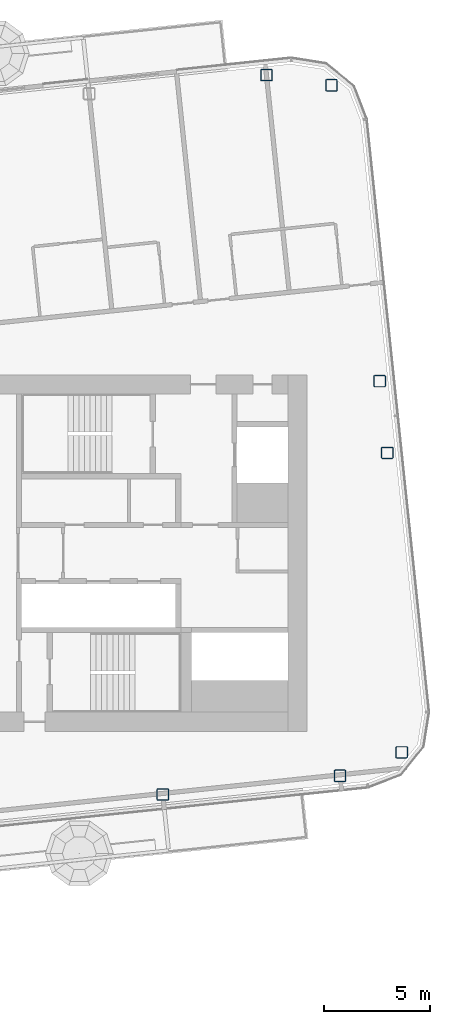
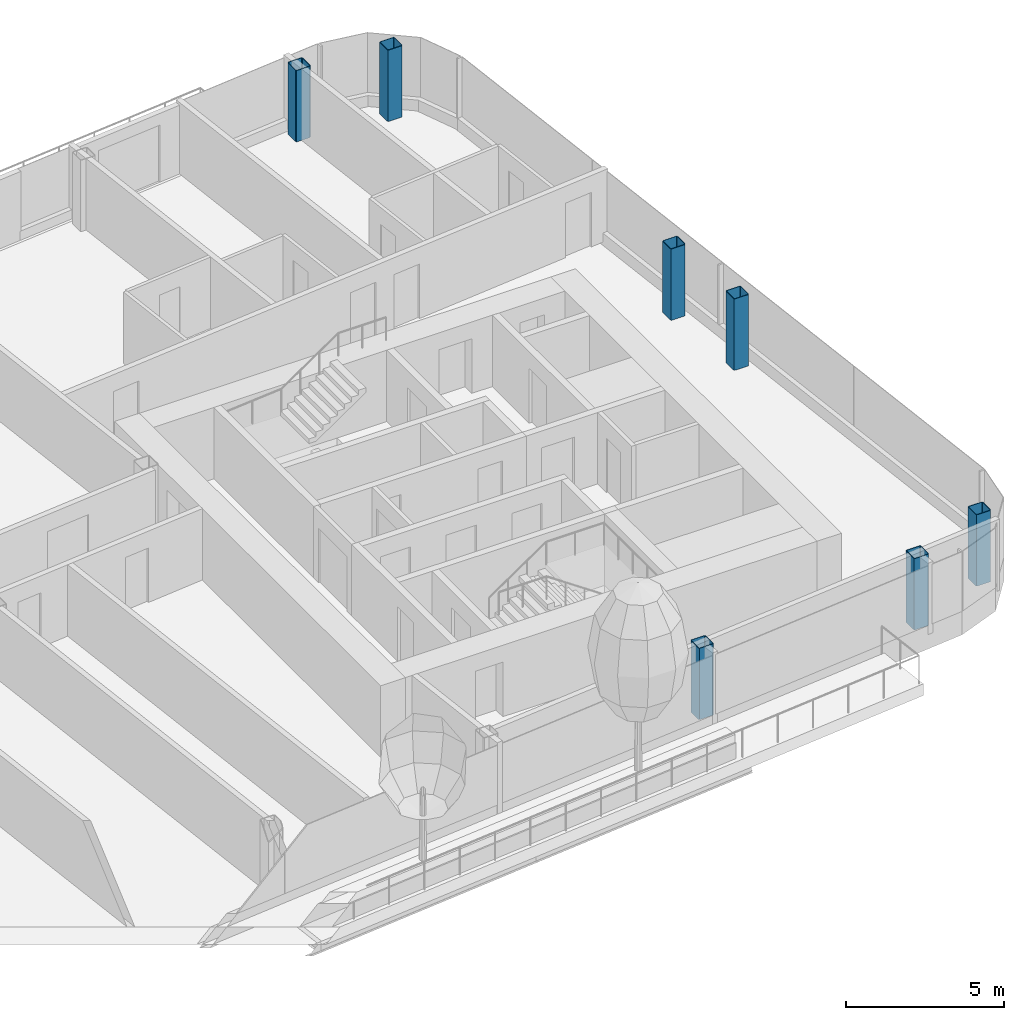
# One storey, part 2 of 30: 7 columns.
"""IFC4 building model written with IfcOpenShell, lengths in metres."""

import ifcopenshell
import ifcopenshell.guid

model = None  # the IFC model being written
_history = None  # IfcOwnerHistory: only IFC2X3 demands one
_inside = {}  # id of a spatial element -> (the spatial element, [elements in it])
_under = {}  # id of a project, library or spatial element -> (it, [spatial elements below it])
_declared = {}  # id of a project -> (the project, [libraries it declares])
_typed = {}  # id of a type object -> (the type object, [elements of that type])
_made_of = {}  # id of a material, layer set ... -> (it, [elements and type objects made of it])


def new_model(schema):
    """Start an empty IFC model of exactly this schema.

    Asked for "IFC4X3", IfcOpenShell would pick the latest addendum, in which some entities
    have other attributes; the version numbers below select the first issue.
    IFC2X3 requires an IfcOwnerHistory on every rooted entity: one is made here for all.
    """
    global model, _history
    if schema == "IFC4X3":
        model = ifcopenshell.file(schema_version=(4, 3, 0, 0))
    else:
        model = ifcopenshell.file(schema=schema)
    _inside.clear()
    _under.clear()
    _declared.clear()
    _typed.clear()
    _made_of.clear()
    _history = None
    if model.schema == "IFC2X3":
        org = make("IfcOrganization", Name="unknown")
        user = make(
            "IfcPersonAndOrganization",
            ThePerson=make("IfcPerson", FamilyName="unknown"),
            TheOrganization=org,
        )
        app = make(
            "IfcApplication",
            ApplicationDeveloper=org,
            Version="unknown",
            ApplicationFullName="unknown",
            ApplicationIdentifier="unknown",
        )
        _history = make(
            "IfcOwnerHistory",
            OwningUser=user,
            OwningApplication=app,
            ChangeAction="ADDED",
            CreationDate=0,
        )
    return model


def make(cls, **values):
    """One entity of the class cls with the attributes given. An attribute that is None is left unset."""
    return model.create_entity(
        cls, **{name: value for name, value in values.items() if value is not None}
    )


def rooted(cls, **values):
    """An entity with a GlobalId (a new one), such as an element, a storey or a relation."""
    return make(cls, GlobalId=ifcopenshell.guid.new(), OwnerHistory=_history, **values)


def si_unit(unit_type, name, prefix=None):
    """IfcSIUnit, for example si_unit("LENGTHUNIT", "METRE", prefix="MILLI")."""
    return make("IfcSIUnit", UnitType=unit_type, Prefix=prefix, Name=name)


def assignment(units):
    """IfcUnitAssignment: the units of a project."""
    return None if units is None else make("IfcUnitAssignment", Units=units)


def point(xyz):
    """IfcCartesianPoint."""
    return None if xyz is None else make("IfcCartesianPoint", Coordinates=xyz)


def direction(xyz):
    """IfcDirection."""
    return None if xyz is None else make("IfcDirection", DirectionRatios=xyz)


def frame(location, z_axis=None, x_axis=None):
    """IfcAxis2Placement3D, a coordinate frame: its origin and axes. An axis left out is left unset."""
    return make(
        "IfcAxis2Placement3D",
        Location=point(location),
        Axis=direction(z_axis),
        RefDirection=direction(x_axis),
    )


def frame_2d(location, x_axis=None):
    """IfcAxis2Placement2D, a coordinate frame in the plane: its origin and x axis."""
    return make(
        "IfcAxis2Placement2D", Location=point(location), RefDirection=direction(x_axis)
    )


def origin():
    """The frame at (0, 0, 0) with its axes left unset."""
    return frame((0.0, 0.0, 0.0))


def origin_2d():
    """The frame at (0, 0) in the plane with its x axis left unset."""
    return frame_2d((0.0, 0.0))


def place(relative_to, where):
    """IfcLocalPlacement: puts the frame where relative to a parent placement (None: the world)."""
    return make(
        "IfcLocalPlacement", PlacementRelTo=relative_to, RelativePlacement=where
    )


def context(
    kind, dimensions, precision=None, world=None, true_north=None, identifier=None
):
    """IfcGeometricRepresentationContext, for example the 3D "Model" context."""
    return make(
        "IfcGeometricRepresentationContext",
        ContextIdentifier=identifier,
        ContextType=kind,
        CoordinateSpaceDimension=dimensions,
        Precision=precision,
        WorldCoordinateSystem=world,
        TrueNorth=true_north,
    )


def subcontext(parent, identifier, kind, view, scale=None):
    """IfcGeometricRepresentationSubContext, for example "Body" below "Model"."""
    return make(
        "IfcGeometricRepresentationSubContext",
        ContextIdentifier=identifier,
        ContextType=kind,
        ParentContext=parent,
        TargetScale=scale,
        TargetView=view,
    )


def project(units=None, contexts=None):
    """IfcProject with its units and contexts."""
    return rooted(
        "IfcProject",
        Name="project",
        RepresentationContexts=contexts,
        UnitsInContext=assignment(units),
    )


def spatial(cls, under=None, at=None, **own):
    """A site, building, storey or space (cls), placed at a placement, below another one or the project."""
    s = rooted(cls, ObjectPlacement=at, **own)
    if under is not None:
        _under.setdefault(under.id(), (under, []))[1].append(s)
    return s


def profile(cls, at=None, kind="AREA", **sizes):
    """A parametric profile (cls). Its sizes go by their IFC names, for example OverallWidth=200.0."""
    return make(cls, ProfileType=kind, Position=at, **sizes)


def hollow_rectangle(**sizes):
    """IfcRectangleHollowProfileDef."""
    return profile("IfcRectangleHollowProfileDef", **sizes)


def extrude(swept, where, along, depth):
    """IfcExtrudedAreaSolid: the profile swept, set in the frame where, extruded along a direction by depth."""
    return make(
        "IfcExtrudedAreaSolid",
        SweptArea=swept,
        Position=where,
        ExtrudedDirection=direction(along),
        Depth=depth,
    )


def shape(context_of_items, identifier, shape_type, items):
    """IfcShapeRepresentation: the items that make up one representation, for example the "Body"."""
    return make(
        "IfcShapeRepresentation",
        ContextOfItems=context_of_items,
        RepresentationIdentifier=identifier,
        RepresentationType=shape_type,
        Items=items,
    )


def material(Name=None, Category=None):
    """IfcMaterial."""
    return make("IfcMaterial", Name=Name, Category=Category)


def material_profile(
    of_material, cross_section, Name=None, Category=None, Priority=None
):
    """IfcMaterialProfile: a cross section and its material."""
    return make(
        "IfcMaterialProfile",
        Name=Name,
        Material=of_material,
        Profile=cross_section,
        Priority=Priority,
        Category=Category,
    )


def profile_set(profiles, Name=None, composite=None):
    """IfcMaterialProfileSet."""
    return make(
        "IfcMaterialProfileSet",
        Name=Name,
        MaterialProfiles=profiles,
        CompositeProfile=composite,
    )


def made_of(thing, what):
    """Note that an element or type object is made of a material, layer set ...; save() writes the relation."""
    if what is not None:
        _made_of.setdefault(what.id(), (what, []))[1].append(thing)
    return thing


def type_object(cls, material=None, **own):
    """A type object (cls), such as IfcWallType, which elements share."""
    return made_of(rooted(cls, **own), material)


def element(
    cls,
    number,
    at=None,
    inside=None,
    cuts=None,
    type_object=None,
    material=None,
    context=None,
    identifier="Body",
    shape_type=None,
    held_by="IfcProductDefinitionShape",
    body=None,
    shapes=None,
    **own,
):
    """One element of the class cls, such as IfcWall. Its Tag is "e" and its number.

    at: its placement. inside: the storey or other place that contains it. cuts: it is an
    opening in that element (IfcRelVoidsElement). A single representation is given by context,
    identifier, shape_type and body (its items); several are given by shapes. held_by: the class
    of the entity that holds the representations. save() writes the other relations.
    """
    e = rooted(cls, Tag="e%d" % number, ObjectPlacement=at, **own)
    if body is not None:
        shapes = [shape(context, identifier, shape_type, body)]
    if shapes is not None:
        e.Representation = make(held_by, Representations=shapes)
    if inside is not None:
        _inside.setdefault(inside.id(), (inside, []))[1].append(e)
    if cuts is not None:
        rooted(
            "IfcRelVoidsElement", RelatingBuildingElement=cuts, RelatedOpeningElement=e
        )
    if type_object is not None:
        _typed.setdefault(type_object.id(), (type_object, []))[1].append(e)
    return made_of(e, material)


def aggregate(whole, parts):
    """IfcRelAggregates: a whole, such as a stair, and the parts it consists of."""
    return rooted("IfcRelAggregates", RelatingObject=whole, RelatedObjects=parts)


def save(model, path):
    """Write the relations noted so far, then the file.

    IfcRelAggregates (storeys below a building ...), IfcRelContainedInSpatialStructure (elements
    in a storey), IfcRelDefinesByType, IfcRelAssociatesMaterial and IfcRelDeclares: one each for
    every whole, place, type object, material and project.
    """
    for whole, parts in _under.values():
        aggregate(whole, parts)
    for where, things in _inside.values():
        rooted(
            "IfcRelContainedInSpatialStructure",
            RelatedElements=things,
            RelatingStructure=where,
        )
    for kind, things in _typed.values():
        rooted("IfcRelDefinesByType", RelatedObjects=things, RelatingType=kind)
    for what, things in _made_of.values():
        rooted("IfcRelAssociatesMaterial", RelatedObjects=things, RelatingMaterial=what)
    for by, libraries in _declared.values():
        rooted("IfcRelDeclares", RelatingContext=by, RelatedDefinitions=libraries)
    model.write(path)


model = new_model("IFC4")

# Units and contexts
model_context = context("Model", 3, precision=1e-05, world=origin(), true_north=direction((0.0, 1.0)))
body_context = subcontext(model_context, "Body", "Model", "MODEL_VIEW")
ifc_project = project(units=[si_unit("LENGTHUNIT", "METRE"), si_unit("AREAUNIT", "SQUARE_METRE"), si_unit("VOLUMEUNIT", "CUBIC_METRE"), si_unit("PLANEANGLEUNIT", "RADIAN"), si_unit("MASSUNIT", "GRAM", prefix="KILO")], contexts=[model_context])

# Site, building, storey
site_placement = place(None, origin())
site = spatial("IfcSite", under=ifc_project, at=site_placement, CompositionType="ELEMENT")
building_placement = place(site_placement, origin())
building = spatial("IfcBuilding", under=site, at=building_placement, Name="Hakoniwa Tower and Hamabe Station Hall", CompositionType="ELEMENT")
storey_placement = place(building_placement, frame((0.0, 0.0, 245.39990234375)))
storey = spatial("IfcBuildingStorey", under=building, at=storey_placement, Name="L69", CompositionType="ELEMENT", Elevation=245.39990234375)

# Columns
ifc_material = material(Name="Steel BCP325", Category="steel")
ifc_material_profile = material_profile(ifc_material, hollow_rectangle(XDim=0.550048828125, YDim=0.550048828125, WallThickness=0.02197265625, InnerFilletRadius=0.032958984375, OuterFilletRadius=0.054931640625, at=origin_2d()), Name="BCP-550x550x22")
ifc_profile_set = profile_set([ifc_material_profile], Name="Steel BCP325")
column_type = type_object("IfcColumnType", Name="COLUMN BCP-550x550x22", PredefinedType="COLUMN", material=ifc_profile_set)
for number, where, z_axis, x_axis, name in (
    (1, (26.797119140625, -11.375, 0.0), (0.0, 0.0, 1.0), (1.0, 0.0, 0.0), "Column B5-10-A5"),
    (2, (35.151123046875, -10.496826171875, 0.0), (0.0, 0.0, 1.0), (1.0, 0.0, 0.0), "Column B5-11-A5"),
    (3, (31.680908203125, 22.521240234375, 0.0), (0.0, 0.0, 1.0), (1.0, 0.0, 0.0), "Column B5-11-F5"),
    (4, (38.054443359375, -9.390380859375, 0.0), (0.0, 0.0, 1.0), (1.0, 0.0, 0.0), "Column B5-EE-A5"),
    (5, (37.372802734375, 4.71875, 0.0), (0.0, 0.0, 1.0), (1.0, 0.0, 0.0), "Column B5-EE-C5"),
    (6, (37.017333984375, 8.10009765625, 0.0), (0.0, 0.0, 1.0), (1.0, 0.0, 0.0), "Column B5-EE-D5"),
    (7, (34.750732421875, 22.04248046875, 0.0), (0.0, 0.0, 1.0), (1.0, 0.0, 0.0), "Column B5-EE-F5"),
):
    element("IfcColumn", number, at=place(storey_placement, frame(where, z_axis=z_axis, x_axis=x_axis)), inside=storey, type_object=column_type, Name=name, PredefinedType="COLUMN", context=body_context, shape_type="SweptSolid", body=[
        extrude(hollow_rectangle(XDim=0.550048828125, YDim=0.550048828125, WallThickness=0.02197265625, InnerFilletRadius=0.032958984375, OuterFilletRadius=0.054931640625, at=origin_2d()), origin(), (0.0, 0.0, 1.0), 2.75),
    ])

save(model, "model.ifc")
